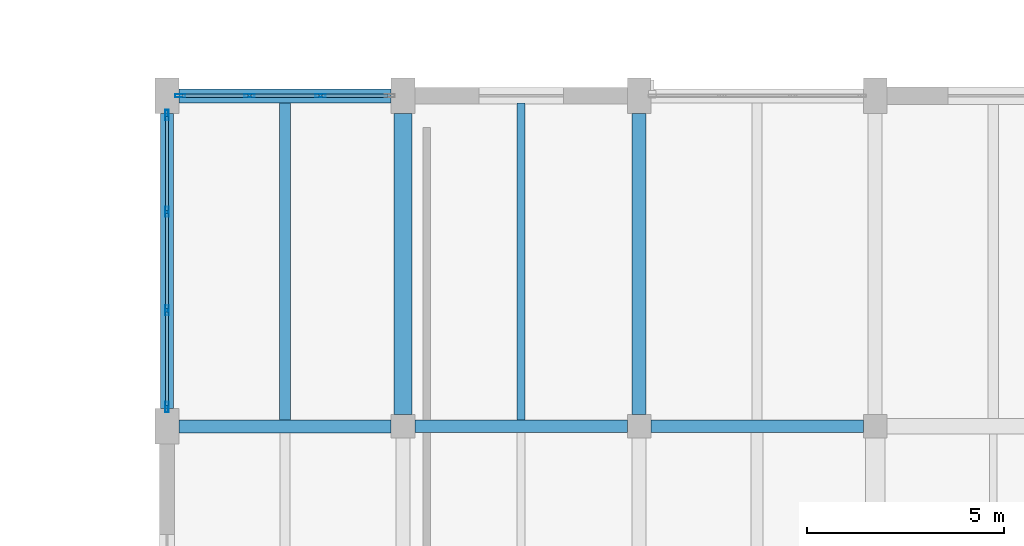
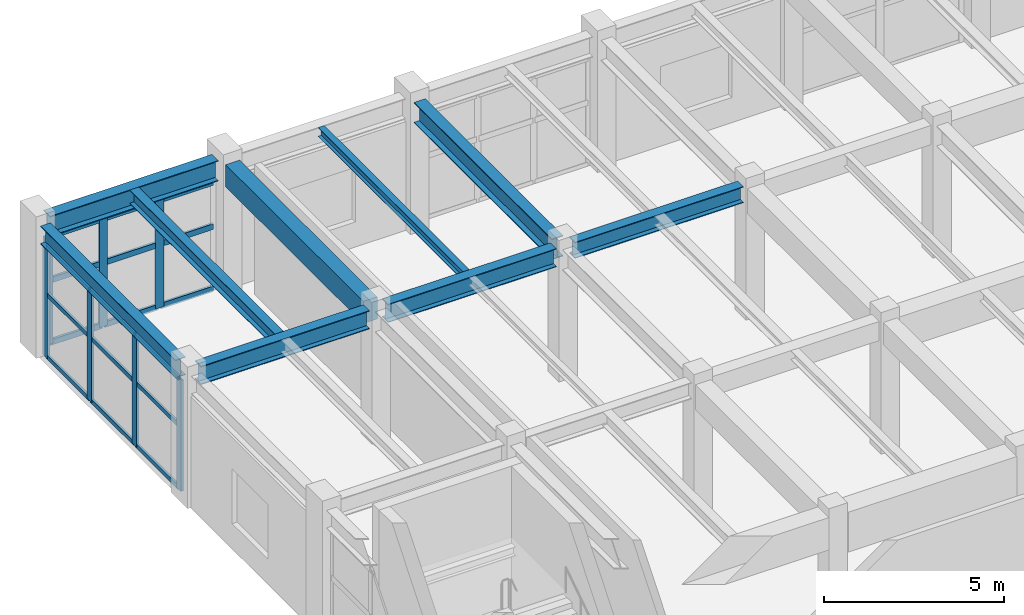
# One storey, part 36 of 85: 25 members, 9 beams, 2 elements without a shape of their own.
"""IFC4 building model written with IfcOpenShell, lengths in metres."""

from ifc_helpers import new_model, si_unit, direction, frame, origin, origin_2d, place, context, subcontext, project, spatial, rectangle, hollow_rectangle, i_section, extrude, material, layer, layer_set, material_profile, profile_set, type_object, element, aggregate, save


model = new_model("IFC4")

# Units and contexts
model_context = context("Model", 3, precision=1e-05, world=origin(), true_north=direction((0.0, 1.0)))
body_context = subcontext(model_context, "Body", "Model", "MODEL_VIEW")
ifc_project = project(units=[si_unit("LENGTHUNIT", "METRE"), si_unit("AREAUNIT", "SQUARE_METRE"), si_unit("VOLUMEUNIT", "CUBIC_METRE"), si_unit("PLANEANGLEUNIT", "RADIAN"), si_unit("MASSUNIT", "GRAM", prefix="KILO")], contexts=[model_context])

# Site, building, storey
site_placement = place(None, origin())
site = spatial("IfcSite", under=ifc_project, at=site_placement, CompositionType="ELEMENT")
building_placement = place(site_placement, origin())
building = spatial("IfcBuilding", under=site, at=building_placement, Name="Vaelkrest Opera House", CompositionType="ELEMENT")
storey_placement = place(building_placement, frame((0.0, 0.0, 10.199951171875)))
storey = spatial("IfcBuildingStorey", under=building, at=storey_placement, Name="L02", CompositionType="ELEMENT", Elevation=10.199951171875)

# Beams
ifc_material_1 = material(Name="Concrete C50/60", Category="concrete")
ifc_material_profile_1 = material_profile(ifc_material_1, rectangle(XDim=0.449951171875, YDim=0.75, at=origin_2d()), Name="RCB450X750")
ifc_profile_set_1 = profile_set([ifc_material_profile_1], Name="Concrete C50/60")
beam_type_1 = type_object("IfcBeamType", Name="B02", PredefinedType="BEAM", material=ifc_profile_set_1)
beam_1_placement = place(storey_placement, frame((-69.60009765625, 25.5, 4.070068359375), z_axis=(0.0, 1.0, 0.0), x_axis=(-1.0, 0.0, 0.0)))
element("IfcBeam", 1, at=beam_1_placement, inside=storey, type_object=beam_type_1, Name="Beam BM-V3-L02-1675", PredefinedType="BEAM", context=body_context, shape_type="SweptSolid", body=[
    extrude(rectangle(XDim=0.449951171875, YDim=0.75, at=origin_2d()), origin(), (0.0, 0.0, 1.0), 7.64990234375),
])
ifc_material_2 = material(Name="Steel A992 Gr50", Category="steel")
ifc_material_profile_2 = material_profile(ifc_material_2, i_section(OverallWidth=0.327880859375, OverallDepth=0.6279296875, WebThickness=0.0166015625, FlangeThickness=0.027587890625, at=origin_2d()), Name="W24X146")
ifc_profile_set_2 = profile_set([ifc_material_profile_2], Name="Steel A992 Gr50")
beam_type_2 = type_object("IfcBeamType", Name="B09", PredefinedType="BEAM", material=ifc_profile_set_2)
beam_2_placement = place(storey_placement, frame((-75.300048828125, 25.199951171875, 4.131103515625), z_axis=(1.0, 0.0, 0.0), x_axis=(0.0, 1.0, 0.0)))
element("IfcBeam", 2, at=beam_2_placement, inside=storey, type_object=beam_type_2, Name="Beam BM-V3-L02-1650", PredefinedType="BEAM", context=body_context, shape_type="SweptSolid", body=[
    extrude(i_section(OverallWidth=0.327880859375, OverallDepth=0.6279296875, WebThickness=0.0166015625, FlangeThickness=0.027587890625, at=origin_2d()), origin(), (0.0, 0.0, 1.0), 5.400146484375),
])
ifc_material_profile_3 = material_profile(ifc_material_2, i_section(OverallWidth=0.35791015625, OverallDepth=0.7060546875, WebThickness=0.018310546875, FlangeThickness=0.0302734375, at=origin_2d()), Name="W27X178")
ifc_profile_set_3 = profile_set([ifc_material_profile_3], Name="Steel A992 Gr50")
beam_type_3 = type_object("IfcBeamType", Name="B14", PredefinedType="BEAM", material=ifc_profile_set_3)
beam_3_placement = place(storey_placement, frame((-63.60009765625, 25.5, 4.092041015625), z_axis=(0.0, 1.0, 0.0), x_axis=(-1.0, 0.0, 0.0)))
element("IfcBeam", 3, at=beam_3_placement, inside=storey, type_object=beam_type_3, Name="Beam BM-V3-L02-1678", PredefinedType="BEAM", context=body_context, shape_type="SweptSolid", body=[
    extrude(i_section(OverallWidth=0.35791015625, OverallDepth=0.7060546875, WebThickness=0.018310546875, FlangeThickness=0.0302734375, at=origin_2d()), origin(), (0.0, 0.0, 1.0), 7.64990234375),
])
ifc_material_profile_4 = material_profile(ifc_material_2, i_section(OverallWidth=0.326904296875, OverallDepth=0.6220703125, WebThickness=0.015380859375, FlangeThickness=0.0244140625, at=origin_2d()), Name="W24X131")
ifc_profile_set_4 = profile_set([ifc_material_profile_4], Name="Steel A992 Gr50")
beam_type_4 = type_object("IfcBeamType", Name="B19", PredefinedType="BEAM", material=ifc_profile_set_4)
beam_4_placement = place(storey_placement, frame((-69.300048828125, 25.199951171875, 4.134033203125), z_axis=(1.0, 0.0, 0.0), x_axis=(0.0, 1.0, 0.0)))
element("IfcBeam", 4, at=beam_4_placement, inside=storey, type_object=beam_type_4, Name="Beam BM-V3-L02-1651", PredefinedType="BEAM", context=body_context, shape_type="SweptSolid", body=[
    extrude(i_section(OverallWidth=0.326904296875, OverallDepth=0.6220703125, WebThickness=0.015380859375, FlangeThickness=0.0244140625, at=origin_2d()), origin(), (0.0, 0.0, 1.0), 5.400146484375),
])
ifc_material_profile_5 = material_profile(ifc_material_2, i_section(OverallWidth=0.31494140625, OverallDepth=0.551025390625, WebThickness=0.01513671875, FlangeThickness=0.0244140625, at=origin_2d()), Name="W21X122")
ifc_profile_set_5 = profile_set([ifc_material_profile_5], Name="Steel A992 Gr50")
beam_type_5 = type_object("IfcBeamType", Name="B20", PredefinedType="BEAM", material=ifc_profile_set_5)
beam_5_placement = place(storey_placement, frame((-63.300048828125, 25.199951171875, 4.16943359375), z_axis=(1.0, 0.0, 0.0), x_axis=(0.0, 1.0, 0.0)))
element("IfcBeam", 5, at=beam_5_placement, inside=storey, type_object=beam_type_5, Name="Beam BM-V3-L02-1652", PredefinedType="BEAM", context=body_context, shape_type="SweptSolid", body=[
    extrude(i_section(OverallWidth=0.31494140625, OverallDepth=0.551025390625, WebThickness=0.01513671875, FlangeThickness=0.0244140625, at=origin_2d()), origin(), (0.0, 0.0, 1.0), 5.400146484375),
])

# Curtain wall, members
ifc_material_3 = material(Name="Dark bronze anodized aluminium", Category="aluminium")
ifc_layer_1 = layer(ifc_material_3, 0.25)
ifc_layer_set_1 = layer_set([ifc_layer_1], Name="Dark bronze anodized aluminium")
curtain_wall_type_1 = type_object("IfcCurtainWallType", Name="CW08", PredefinedType="NOTDEFINED", material=ifc_layer_set_1)
curtain_wall_1_placement = place(storey_placement, origin())
curtain_wall_1 = element("IfcCurtainWall", 6, at=curtain_wall_1_placement, inside=storey, type_object=curtain_wall_type_1, Name="Curtain wall CW-L02-118", PredefinedType="NOTDEFINED")
ifc_material_profile_6 = material_profile(ifc_material_3, hollow_rectangle(XDim=0.080078125, YDim=0.260009765625, WallThickness=0.0048828125, at=origin_2d()), Name="CWM80X260")
ifc_profile_set_6 = profile_set([ifc_material_profile_6], Name="Dark bronze anodized aluminium")
member_type_1 = type_object("IfcMemberType", Name="CWM04", PredefinedType="MULLION", material=ifc_profile_set_6)
member_1_placement = place(storey_placement, frame((-75.60009765625, 25.68798828125, 0.0), z_axis=(0.0, 0.0, 1.0), x_axis=(-1.0, 0.0, 0.0)))
member_1 = element("IfcMember", 7, at=member_1_placement, type_object=member_type_1, Name="CW08 mullion 1", PredefinedType="MULLION", context=body_context, shape_type="SweptSolid", body=[
    extrude(hollow_rectangle(XDim=0.080078125, YDim=0.260009765625, WallThickness=0.0048828125, at=origin_2d()), origin(), (0.0, 0.0, 1.0), 3.76904296875),
])
member_2_placement = place(storey_placement, frame((-75.60009765625, 28.1494140625, 0.0), z_axis=(0.0, 0.0, 1.0), x_axis=(-1.0, 0.0, 0.0)))
member_2 = element("IfcMember", 8, at=member_2_placement, type_object=member_type_1, Name="CW08 mullion 2", PredefinedType="MULLION", context=body_context, shape_type="SweptSolid", body=[
    extrude(hollow_rectangle(XDim=0.080078125, YDim=0.260009765625, WallThickness=0.0048828125, at=origin_2d()), origin(), (0.0, 0.0, 1.0), 3.76904296875),
])
member_3_placement = place(storey_placement, frame((-75.60009765625, 30.650634765625, 0.0), z_axis=(0.0, 0.0, 1.0), x_axis=(-1.0, 0.0, 0.0)))
member_3 = element("IfcMember", 9, at=member_3_placement, type_object=member_type_1, Name="CW08 mullion 3", PredefinedType="MULLION", context=body_context, shape_type="SweptSolid", body=[
    extrude(hollow_rectangle(XDim=0.080078125, YDim=0.260009765625, WallThickness=0.0048828125, at=origin_2d()), origin(), (0.0, 0.0, 1.0), 3.76904296875),
])
member_4_placement = place(storey_placement, frame((-75.60009765625, 33.112060546875, 0.0), z_axis=(0.0, 0.0, 1.0), x_axis=(-1.0, 0.0, 0.0)))
member_4 = element("IfcMember", 10, at=member_4_placement, type_object=member_type_1, Name="CW08 mullion 4", PredefinedType="MULLION", context=body_context, shape_type="SweptSolid", body=[
    extrude(hollow_rectangle(XDim=0.080078125, YDim=0.260009765625, WallThickness=0.0048828125, at=origin_2d()), origin(), (0.0, 0.0, 1.0), 3.76904296875),
])

ifc_layer_2 = layer(ifc_material_3, 0.2099609375)
ifc_layer_set_2 = layer_set([ifc_layer_2], Name="Dark bronze anodized aluminium")
curtain_wall_type_2 = type_object("IfcCurtainWallType", Name="CW04", PredefinedType="NOTDEFINED", material=ifc_layer_set_2)
curtain_wall_2_placement = place(storey_placement, origin())
curtain_wall_2 = element("IfcCurtainWall", 11, at=curtain_wall_2_placement, inside=storey, type_object=curtain_wall_type_2, Name="Curtain wall CW-L02-119", PredefinedType="NOTDEFINED")
member_5_placement = place(storey_placement, frame((-75.261962890625, 33.60009765625, 0.0), z_axis=(0.0, 0.0, 1.0), x_axis=(0.0, 1.0, 0.0)))
member_5 = element("IfcMember", 12, at=member_5_placement, type_object=member_type_1, Name="CW04 mullion 1", PredefinedType="MULLION", context=body_context, shape_type="SweptSolid", body=[
    extrude(hollow_rectangle(XDim=0.080078125, YDim=0.260009765625, WallThickness=0.0048828125, at=origin_2d()), origin(), (0.0, 0.0, 1.0), 3.68505859375),
])
member_6_placement = place(storey_placement, frame((-73.500732421875, 33.60009765625, 0.0), z_axis=(0.0, 0.0, 1.0), x_axis=(0.0, 1.0, 0.0)))
member_6 = element("IfcMember", 13, at=member_6_placement, type_object=member_type_1, Name="CW04 mullion 2", PredefinedType="MULLION", context=body_context, shape_type="SweptSolid", body=[
    extrude(hollow_rectangle(XDim=0.080078125, YDim=0.260009765625, WallThickness=0.0048828125, at=origin_2d()), origin(), (0.0, 0.0, 1.0), 3.68505859375),
])
member_7_placement = place(storey_placement, frame((-71.69921875, 33.60009765625, 0.0), z_axis=(0.0, 0.0, 1.0), x_axis=(0.0, 1.0, 0.0)))
member_7 = element("IfcMember", 14, at=member_7_placement, type_object=member_type_1, Name="CW04 mullion 3", PredefinedType="MULLION", context=body_context, shape_type="SweptSolid", body=[
    extrude(hollow_rectangle(XDim=0.080078125, YDim=0.260009765625, WallThickness=0.0048828125, at=origin_2d()), origin(), (0.0, 0.0, 1.0), 3.68505859375),
])

# Member
ifc_material_profile_7 = material_profile(ifc_material_3, hollow_rectangle(XDim=0.070068359375, YDim=0.14990234375, WallThickness=0.004150390625, at=origin_2d()), Name="CWT70X150")
ifc_profile_set_7 = profile_set([ifc_material_profile_7], Name="Dark bronze anodized aluminium")
member_type_2 = type_object("IfcMemberType", Name="CWT02", PredefinedType="USERDEFINED", material=ifc_profile_set_7)
member_8_placement = place(storey_placement, frame((-75.60009765625, 25.72802734375, 0.03515625), z_axis=(0.0, 1.0, 0.0), x_axis=(-1.0, 0.0, 0.0)))
member_8 = element("IfcMember", 15, at=member_8_placement, type_object=member_type_2, Name="CW08 transom 1.1", ObjectType="TRANSOM", PredefinedType="USERDEFINED", context=body_context, shape_type="SweptSolid", body=[
    extrude(hollow_rectangle(XDim=0.070068359375, YDim=0.14990234375, WallThickness=0.004150390625, at=origin_2d()), origin(), (0.0, 0.0, 1.0), 2.38134765625),
])

member_9_placement = place(storey_placement, frame((-75.60009765625, 25.72802734375, 2.150146484375), z_axis=(0.0, 1.0, 0.0), x_axis=(-1.0, 0.0, 0.0)))
member_9 = element("IfcMember", 16, at=member_9_placement, type_object=member_type_2, Name="CW08 transom 1.2", ObjectType="TRANSOM", PredefinedType="USERDEFINED", context=body_context, shape_type="SweptSolid", body=[
    extrude(hollow_rectangle(XDim=0.070068359375, YDim=0.14990234375, WallThickness=0.004150390625, at=origin_2d()), origin(), (0.0, 0.0, 1.0), 2.38134765625),
])

member_10_placement = place(storey_placement, frame((-75.60009765625, 25.72802734375, 3.734130859375), z_axis=(0.0, 1.0, 0.0), x_axis=(-1.0, 0.0, 0.0)))
member_10 = element("IfcMember", 17, at=member_10_placement, type_object=member_type_2, Name="CW08 transom 1.3", ObjectType="TRANSOM", PredefinedType="USERDEFINED", context=body_context, shape_type="SweptSolid", body=[
    extrude(hollow_rectangle(XDim=0.070068359375, YDim=0.14990234375, WallThickness=0.004150390625, at=origin_2d()), origin(), (0.0, 0.0, 1.0), 2.38134765625),
])

member_11_placement = place(storey_placement, frame((-75.60009765625, 28.189453125, 0.03515625), z_axis=(0.0, 1.0, 0.0), x_axis=(-1.0, 0.0, 0.0)))
member_11 = element("IfcMember", 18, at=member_11_placement, type_object=member_type_2, Name="CW08 transom 2.1", ObjectType="TRANSOM", PredefinedType="USERDEFINED", context=body_context, shape_type="SweptSolid", body=[
    extrude(hollow_rectangle(XDim=0.070068359375, YDim=0.14990234375, WallThickness=0.004150390625, at=origin_2d()), origin(), (0.0, 0.0, 1.0), 2.421142578125),
])

member_12_placement = place(storey_placement, frame((-75.60009765625, 28.189453125, 2.150146484375), z_axis=(0.0, 1.0, 0.0), x_axis=(-1.0, 0.0, 0.0)))
member_12 = element("IfcMember", 19, at=member_12_placement, type_object=member_type_2, Name="CW08 transom 2.2", ObjectType="TRANSOM", PredefinedType="USERDEFINED", context=body_context, shape_type="SweptSolid", body=[
    extrude(hollow_rectangle(XDim=0.070068359375, YDim=0.14990234375, WallThickness=0.004150390625, at=origin_2d()), origin(), (0.0, 0.0, 1.0), 2.421142578125),
])

member_13_placement = place(storey_placement, frame((-75.60009765625, 28.189453125, 3.734130859375), z_axis=(0.0, 1.0, 0.0), x_axis=(-1.0, 0.0, 0.0)))
member_13 = element("IfcMember", 20, at=member_13_placement, type_object=member_type_2, Name="CW08 transom 2.3", ObjectType="TRANSOM", PredefinedType="USERDEFINED", context=body_context, shape_type="SweptSolid", body=[
    extrude(hollow_rectangle(XDim=0.070068359375, YDim=0.14990234375, WallThickness=0.004150390625, at=origin_2d()), origin(), (0.0, 0.0, 1.0), 2.421142578125),
])

member_14_placement = place(storey_placement, frame((-75.60009765625, 30.690673828125, 0.03515625), z_axis=(0.0, 1.0, 0.0), x_axis=(-1.0, 0.0, 0.0)))
member_14 = element("IfcMember", 21, at=member_14_placement, type_object=member_type_2, Name="CW08 transom 3.1", ObjectType="TRANSOM", PredefinedType="USERDEFINED", context=body_context, shape_type="SweptSolid", body=[
    extrude(hollow_rectangle(XDim=0.070068359375, YDim=0.14990234375, WallThickness=0.004150390625, at=origin_2d()), origin(), (0.0, 0.0, 1.0), 2.38134765625),
])

member_15_placement = place(storey_placement, frame((-75.60009765625, 30.690673828125, 2.150146484375), z_axis=(0.0, 1.0, 0.0), x_axis=(-1.0, 0.0, 0.0)))
member_15 = element("IfcMember", 22, at=member_15_placement, type_object=member_type_2, Name="CW08 transom 3.2", ObjectType="TRANSOM", PredefinedType="USERDEFINED", context=body_context, shape_type="SweptSolid", body=[
    extrude(hollow_rectangle(XDim=0.070068359375, YDim=0.14990234375, WallThickness=0.004150390625, at=origin_2d()), origin(), (0.0, 0.0, 1.0), 2.38134765625),
])

member_16_placement = place(storey_placement, frame((-75.60009765625, 30.690673828125, 3.734130859375), z_axis=(0.0, 1.0, 0.0), x_axis=(-1.0, 0.0, 0.0)))
member_16 = element("IfcMember", 23, at=member_16_placement, type_object=member_type_2, Name="CW08 transom 3.3", ObjectType="TRANSOM", PredefinedType="USERDEFINED", context=body_context, shape_type="SweptSolid", body=[
    extrude(hollow_rectangle(XDim=0.070068359375, YDim=0.14990234375, WallThickness=0.004150390625, at=origin_2d()), origin(), (0.0, 0.0, 1.0), 2.38134765625),
])

aggregate(curtain_wall_1, [member_1, member_2, member_3, member_4, member_8, member_9, member_10, member_11, member_12, member_13, member_14, member_15, member_16])

ifc_material_profile_8 = material_profile(ifc_material_3, hollow_rectangle(XDim=0.080078125, YDim=0.18994140625, WallThickness=0.0048828125, at=origin_2d()), Name="CWT80X190")
ifc_profile_set_8 = profile_set([ifc_material_profile_8], Name="Dark bronze anodized aluminium")
member_type_3 = type_object("IfcMemberType", Name="CWT04", PredefinedType="USERDEFINED", material=ifc_profile_set_8)
member_17_placement = place(storey_placement, frame((-75.221923828125, 33.60009765625, 0.0400390625), z_axis=(1.0, 0.0, 0.0), x_axis=(0.0, 1.0, 0.0)))
member_17 = element("IfcMember", 24, at=member_17_placement, type_object=member_type_3, Name="CW04 transom 1.1", ObjectType="TRANSOM", PredefinedType="USERDEFINED", context=body_context, shape_type="SweptSolid", body=[
    extrude(hollow_rectangle(XDim=0.080078125, YDim=0.18994140625, WallThickness=0.0048828125, at=origin_2d()), origin(), (0.0, 0.0, 1.0), 1.68115234375),
])

member_18_placement = place(storey_placement, frame((-75.221923828125, 33.60009765625, 2.150146484375), z_axis=(1.0, 0.0, 0.0), x_axis=(0.0, 1.0, 0.0)))
member_18 = element("IfcMember", 25, at=member_18_placement, type_object=member_type_3, Name="CW04 transom 1.2", ObjectType="TRANSOM", PredefinedType="USERDEFINED", context=body_context, shape_type="SweptSolid", body=[
    extrude(hollow_rectangle(XDim=0.080078125, YDim=0.18994140625, WallThickness=0.0048828125, at=origin_2d()), origin(), (0.0, 0.0, 1.0), 1.68115234375),
])

member_19_placement = place(storey_placement, frame((-75.221923828125, 33.60009765625, 3.64501953125), z_axis=(1.0, 0.0, 0.0), x_axis=(0.0, 1.0, 0.0)))
member_19 = element("IfcMember", 26, at=member_19_placement, type_object=member_type_3, Name="CW04 transom 1.3", ObjectType="TRANSOM", PredefinedType="USERDEFINED", context=body_context, shape_type="SweptSolid", body=[
    extrude(hollow_rectangle(XDim=0.080078125, YDim=0.18994140625, WallThickness=0.0048828125, at=origin_2d()), origin(), (0.0, 0.0, 1.0), 1.68115234375),
])

member_20_placement = place(storey_placement, frame((-73.460693359375, 33.60009765625, 0.0400390625), z_axis=(1.0, 0.0, 0.0), x_axis=(0.0, 1.0, 0.0)))
member_20 = element("IfcMember", 27, at=member_20_placement, type_object=member_type_3, Name="CW04 transom 2.1", ObjectType="TRANSOM", PredefinedType="USERDEFINED", context=body_context, shape_type="SweptSolid", body=[
    extrude(hollow_rectangle(XDim=0.080078125, YDim=0.18994140625, WallThickness=0.0048828125, at=origin_2d()), origin(), (0.0, 0.0, 1.0), 1.721435546875),
])

member_21_placement = place(storey_placement, frame((-73.460693359375, 33.60009765625, 2.150146484375), z_axis=(1.0, 0.0, 0.0), x_axis=(0.0, 1.0, 0.0)))
member_21 = element("IfcMember", 28, at=member_21_placement, type_object=member_type_3, Name="CW04 transom 2.2", ObjectType="TRANSOM", PredefinedType="USERDEFINED", context=body_context, shape_type="SweptSolid", body=[
    extrude(hollow_rectangle(XDim=0.080078125, YDim=0.18994140625, WallThickness=0.0048828125, at=origin_2d()), origin(), (0.0, 0.0, 1.0), 1.721435546875),
])

member_22_placement = place(storey_placement, frame((-73.460693359375, 33.60009765625, 3.64501953125), z_axis=(1.0, 0.0, 0.0), x_axis=(0.0, 1.0, 0.0)))
member_22 = element("IfcMember", 29, at=member_22_placement, type_object=member_type_3, Name="CW04 transom 2.3", ObjectType="TRANSOM", PredefinedType="USERDEFINED", context=body_context, shape_type="SweptSolid", body=[
    extrude(hollow_rectangle(XDim=0.080078125, YDim=0.18994140625, WallThickness=0.0048828125, at=origin_2d()), origin(), (0.0, 0.0, 1.0), 1.721435546875),
])

member_23_placement = place(storey_placement, frame((-71.659423828125, 33.60009765625, 0.0400390625), z_axis=(1.0, 0.0, 0.0), x_axis=(0.0, 1.0, 0.0)))
member_23 = element("IfcMember", 30, at=member_23_placement, type_object=member_type_3, Name="CW04 transom 3.1", ObjectType="TRANSOM", PredefinedType="USERDEFINED", context=body_context, shape_type="SweptSolid", body=[
    extrude(hollow_rectangle(XDim=0.080078125, YDim=0.18994140625, WallThickness=0.0048828125, at=origin_2d()), origin(), (0.0, 0.0, 1.0), 1.681396484375),
])

member_24_placement = place(storey_placement, frame((-71.659423828125, 33.60009765625, 2.150146484375), z_axis=(1.0, 0.0, 0.0), x_axis=(0.0, 1.0, 0.0)))
member_24 = element("IfcMember", 31, at=member_24_placement, type_object=member_type_3, Name="CW04 transom 3.2", ObjectType="TRANSOM", PredefinedType="USERDEFINED", context=body_context, shape_type="SweptSolid", body=[
    extrude(hollow_rectangle(XDim=0.080078125, YDim=0.18994140625, WallThickness=0.0048828125, at=origin_2d()), origin(), (0.0, 0.0, 1.0), 1.681396484375),
])

member_25_placement = place(storey_placement, frame((-71.659423828125, 33.60009765625, 3.64501953125), z_axis=(1.0, 0.0, 0.0), x_axis=(0.0, 1.0, 0.0)))
member_25 = element("IfcMember", 32, at=member_25_placement, type_object=member_type_3, Name="CW04 transom 3.3", ObjectType="TRANSOM", PredefinedType="USERDEFINED", context=body_context, shape_type="SweptSolid", body=[
    extrude(hollow_rectangle(XDim=0.080078125, YDim=0.18994140625, WallThickness=0.0048828125, at=origin_2d()), origin(), (0.0, 0.0, 1.0), 1.681396484375),
])

aggregate(curtain_wall_2, [member_5, member_6, member_7, member_17, member_18, member_19, member_20, member_21, member_22, member_23, member_24, member_25])

# Beams
ifc_material_profile_9 = material_profile(ifc_material_2, i_section(OverallWidth=0.202880859375, OverallDepth=0.302978515625, WebThickness=0.007568359375, FlangeThickness=0.01318359375, at=origin_2d()), Name="W12X40")
ifc_profile_set_9 = profile_set([ifc_material_profile_9], Name="Steel A992 Gr50")
beam_type_6 = type_object("IfcBeamType", Name="J02", PredefinedType="JOIST", material=ifc_profile_set_9)
beam_6_placement = place(storey_placement, frame((-66.60009765625, 25.363525390625, 4.29345703125), z_axis=(0.0, 1.0, 0.0), x_axis=(-1.0, 0.0, 0.0)))
element("IfcBeam", 33, at=beam_6_placement, inside=storey, type_object=beam_type_6, Name="Floor joist JST-V3-L02-1712", PredefinedType="JOIST", context=body_context, shape_type="SweptSolid", body=[
    extrude(i_section(OverallWidth=0.202880859375, OverallDepth=0.302978515625, WebThickness=0.007568359375, FlangeThickness=0.01318359375, at=origin_2d()), origin(), (0.0, 0.0, 1.0), 8.05908203125),
])
ifc_material_profile_10 = material_profile(ifc_material_2, i_section(OverallWidth=0.280029296875, OverallDepth=0.462890625, WebThickness=0.0107421875, FlangeThickness=0.017333984375, at=origin_2d()), Name="W18X76")
ifc_profile_set_10 = profile_set([ifc_material_profile_10], Name="Steel A992 Gr50")
beam_type_7 = type_object("IfcBeamType", Name="J09", PredefinedType="JOIST", material=ifc_profile_set_10)
beam_7_placement = place(storey_placement, frame((-72.60009765625, 25.364013671875, 4.213623046875), z_axis=(0.0, 1.0, 0.0), x_axis=(-1.0, 0.0, 0.0)))
element("IfcBeam", 34, at=beam_7_placement, inside=storey, type_object=beam_type_7, Name="Floor joist JST-V3-L02-1709", PredefinedType="JOIST", context=body_context, shape_type="SweptSolid", body=[
    extrude(i_section(OverallWidth=0.280029296875, OverallDepth=0.462890625, WebThickness=0.0107421875, FlangeThickness=0.017333984375, at=origin_2d()), origin(), (0.0, 0.0, 1.0), 8.05859375),
])
ifc_material_profile_11 = material_profile(ifc_material_2, i_section(OverallWidth=0.323974609375, OverallDepth=0.611083984375, WebThickness=0.0126953125, FlangeThickness=0.01904296875, at=origin_2d()), Name="W24X104")
ifc_profile_set_11 = profile_set([ifc_material_profile_11], Name="Steel A992 Gr50")
beam_type_8 = type_object("IfcBeamType", Name="SP01", PredefinedType="SPANDREL", material=ifc_profile_set_11)
beam_8_placement = place(storey_placement, frame((-75.60009765625, 25.64990234375, 4.1396484375), z_axis=(0.0, 1.0, 0.0), x_axis=(-1.0, 0.0, 0.0)))
element("IfcBeam", 35, at=beam_8_placement, inside=storey, type_object=beam_type_8, Name="Beam BM-V3-L02-1669", PredefinedType="SPANDREL", context=body_context, shape_type="SweptSolid", body=[
    extrude(i_section(OverallWidth=0.323974609375, OverallDepth=0.611083984375, WebThickness=0.0126953125, FlangeThickness=0.01904296875, at=origin_2d()), origin(), (0.0, 0.0, 1.0), 7.5),
])
ifc_material_profile_12 = material_profile(ifc_material_2, i_section(OverallWidth=0.35498046875, OverallDepth=0.695068359375, WebThickness=0.015380859375, FlangeThickness=0.02490234375, at=origin_2d()), Name="W27X146")
ifc_profile_set_12 = profile_set([ifc_material_profile_12], Name="Steel A992 Gr50")
beam_type_9 = type_object("IfcBeamType", Name="SP02", PredefinedType="SPANDREL", material=ifc_profile_set_12)
beam_9_placement = place(storey_placement, frame((-75.300048828125, 33.60009765625, 4.09765625), z_axis=(1.0, 0.0, 0.0), x_axis=(0.0, 1.0, 0.0)))
element("IfcBeam", 36, at=beam_9_placement, inside=storey, type_object=beam_type_9, Name="Beam BM-V3-L02-1657", PredefinedType="SPANDREL", context=body_context, shape_type="SweptSolid", body=[
    extrude(i_section(OverallWidth=0.35498046875, OverallDepth=0.695068359375, WebThickness=0.015380859375, FlangeThickness=0.02490234375, at=origin_2d()), origin(), (0.0, 0.0, 1.0), 5.400146484375),
])

save(model, "model.ifc")
